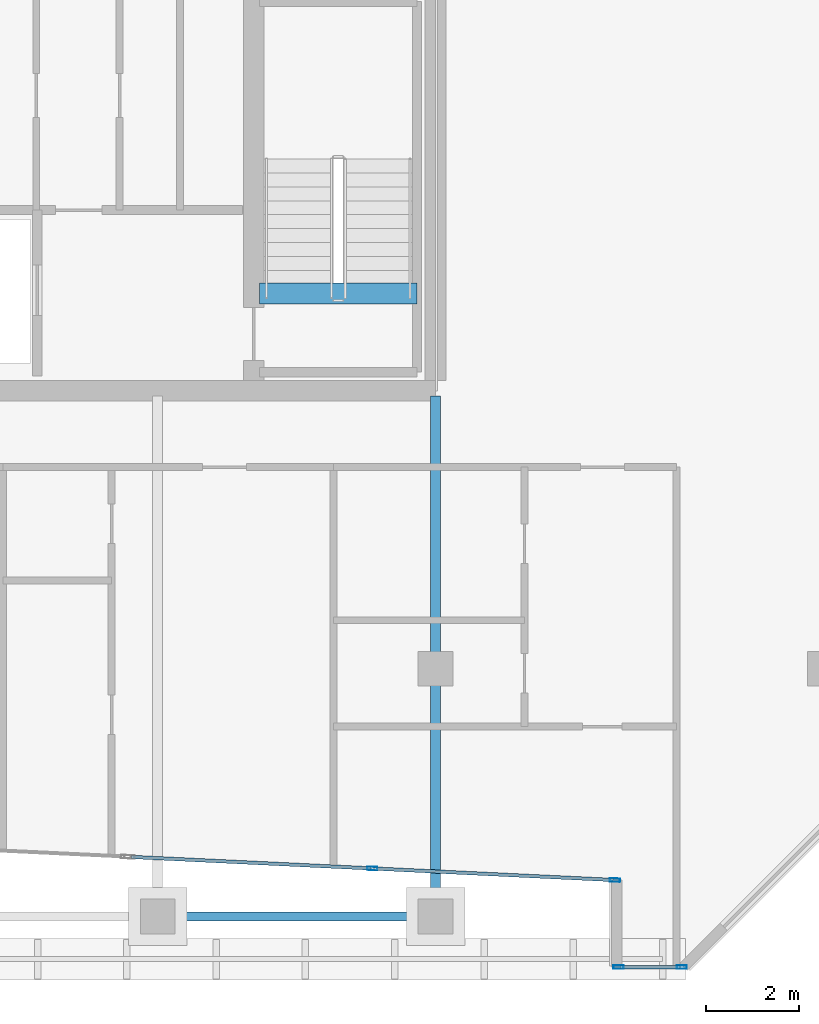
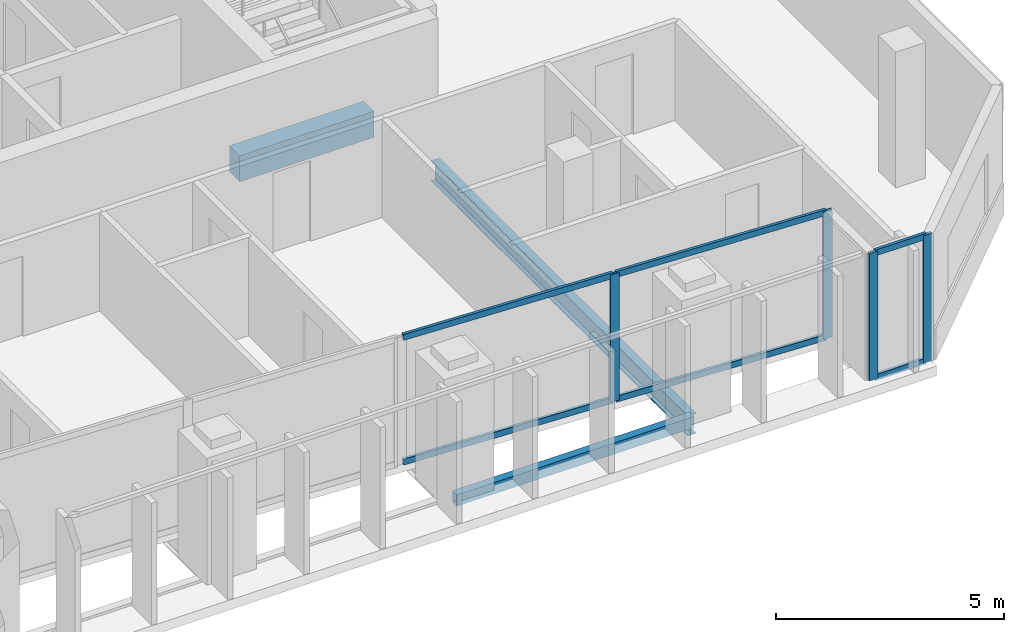
# One storey, part 17 of 32: 10 members, 3 beams, 2 elements without a shape of their own.
"""IFC4 building model written with IfcOpenShell, lengths in metres."""

from ifc_helpers import new_model, si_unit, direction, frame, origin, origin_2d, place, context, subcontext, project, spatial, rectangle, hollow_rectangle, i_section, extrude, material, layer, layer_set, material_profile, profile_set, type_object, element, aggregate, save


model = new_model("IFC4")

# Units and contexts
model_context = context("Model", 3, precision=1e-05, world=origin(), true_north=direction((0.0, 1.0)))
body_context = subcontext(model_context, "Body", "Model", "MODEL_VIEW")
ifc_project = project(units=[si_unit("LENGTHUNIT", "METRE"), si_unit("AREAUNIT", "SQUARE_METRE"), si_unit("VOLUMEUNIT", "CUBIC_METRE"), si_unit("PLANEANGLEUNIT", "RADIAN"), si_unit("MASSUNIT", "GRAM", prefix="KILO")], contexts=[model_context])

# Site, building, storey
site_placement = place(None, origin())
site = spatial("IfcSite", under=ifc_project, at=site_placement, CompositionType="ELEMENT")
building_placement = place(site_placement, origin())
building = spatial("IfcBuilding", under=site, at=building_placement, Name="Tanjung Sevakor Pilgrim Tower", CompositionType="ELEMENT")
storey_placement = place(building_placement, frame((0.0, 0.0, 211.860107421875)))
storey = spatial("IfcBuildingStorey", under=building, at=storey_placement, Name="L59", CompositionType="ELEMENT", Elevation=211.860107421875)

# Beams
ifc_material_1 = material(Name="Steel S355J2", Category="steel")
ifc_material_profile_1 = material_profile(ifc_material_1, i_section(OverallWidth=0.2119140625, OverallDepth=0.54443359375, WebThickness=0.0126953125, FlangeThickness=0.021240234375, FilletRadius=0.0126953125, at=origin_2d()))
ifc_profile_set_1 = profile_set([ifc_material_profile_1], Name="Steel S355J2")
beam_type_1 = type_object("IfcBeamType", Name="BM-B-G5-UB_533x210x122", PredefinedType="BEAM", material=ifc_profile_set_1)
beam_1_placement = place(storey_placement, frame((90.0, 13.25, -0.492431640625), z_axis=(0.0, 1.0, 0.0), x_axis=(-1.0, 0.0, 0.0)))
element("IfcBeam", 1, at=beam_1_placement, inside=storey, type_object=beam_type_1, Name="L59 MAIN Girder 025", PredefinedType="BEAM", context=body_context, shape_type="SweptSolid", body=[
    extrude(i_section(OverallWidth=0.2119140625, OverallDepth=0.54443359375, WebThickness=0.0126953125, FlangeThickness=0.021240234375, FilletRadius=0.0126953125, at=origin_2d()), origin(), (0.0, 0.0, 1.0), 11.235595703125),
])
ifc_material_2 = material(Name="Concrete C60/75", Category="concrete")
ifc_material_profile_2 = material_profile(ifc_material_2, rectangle(XDim=0.449951171875, YDim=0.699951171875, at=origin_2d()))
ifc_profile_set_2 = profile_set([ifc_material_profile_2], Name="Concrete C60/75")
beam_type_2 = type_object("IfcBeamType", Name="BM-B-LN3-RC-BM_450x700", PredefinedType="LINTEL", material=ifc_profile_set_2)
beam_2_placement = place(storey_placement, frame((86.199951171875, 26.699951171875, -0.35009765625), z_axis=(1.0, 0.0, 0.0), x_axis=(0.0, 1.0, 0.0)))
element("IfcBeam", 2, at=beam_2_placement, inside=storey, type_object=beam_type_2, Name="L59 TS-E1 Stair Threshold Beam", PredefinedType="LINTEL", context=body_context, shape_type="SweptSolid", body=[
    extrude(rectangle(XDim=0.449951171875, YDim=0.699951171875, at=origin_2d()), origin(), (0.0, 0.0, 1.0), 3.400146484375),
])
ifc_material_3 = material(Name="Steel S355J2", Category="steel")
ifc_material_profile_3 = material_profile(ifc_material_3, hollow_rectangle(XDim=0.199951171875, YDim=0.300048828125, WallThickness=0.012451171875, at=origin_2d()))
ifc_profile_set_3 = profile_set([ifc_material_profile_3], Name="Steel S355J2")
beam_type_3 = type_object("IfcBeamType", Name="BM-B-SP3-RHS_300x200x12.5", PredefinedType="SPANDREL", material=ifc_profile_set_3)
beam_3_placement = place(storey_placement, frame((84.0, 13.25, -0.3701171875), z_axis=(1.0, 0.0, 0.0), x_axis=(0.0, 1.0, 0.0)))
element("IfcBeam", 3, at=beam_3_placement, inside=storey, type_object=beam_type_3, Name="L59 Spandrel MAIN S-15", PredefinedType="SPANDREL", context=body_context, shape_type="SweptSolid", body=[
    extrude(hollow_rectangle(XDim=0.199951171875, YDim=0.300048828125, WallThickness=0.012451171875, at=origin_2d()), origin(), (0.0, 0.0, 1.0), 6.0),
])

# Curtain wall, members
ifc_material_4 = material(Name="Aluminium 6063-T6 and Low-E Glass", Category="aluminium")
ifc_layer = layer(ifc_material_4, 0.199951171875)
ifc_layer_set = layer_set([ifc_layer], Name="CW-SYS-PRAY")
curtain_wall_type = type_object("IfcCurtainWallType", Name="CW-SYS-PRAY", PredefinedType="NOTDEFINED", material=ifc_layer_set)
curtain_wall_1_placement = place(storey_placement, origin())
curtain_wall_1 = element("IfcCurtainWall", 4, at=curtain_wall_1_placement, inside=storey, type_object=curtain_wall_type, Name="L59 Curtain Wall CW-PRY-L59-12", PredefinedType="NOTDEFINED")
ifc_material_5 = material(Name="Aluminium 6063-T6", Category="aluminium")
ifc_material_profile_4 = material_profile(ifc_material_5, hollow_rectangle(XDim=0.074951171875, YDim=0.219970703125, WallThickness=0.0048828125, at=origin_2d()))
ifc_profile_set_4 = profile_set([ifc_material_profile_4], Name="Aluminium 6063-T6")
member_type_1 = type_object("IfcMemberType", Name="TYPE-CWM-2", PredefinedType="MULLION", material=ifc_profile_set_4)
member_1_placement = place(storey_placement, frame((88.632568359375, 14.287353515625, 0.0), z_axis=(0.0, 0.0, 1.0), x_axis=(0.047791311738, 0.998857342428, 0.0)))
member_1 = element("IfcMember", 5, at=member_1_placement, type_object=member_type_1, Name="CW-PRY mullion 2", PredefinedType="MULLION", context=body_context, shape_type="SweptSolid", body=[
    extrude(hollow_rectangle(XDim=0.074951171875, YDim=0.219970703125, WallThickness=0.0048828125, at=origin_2d()), origin(), (0.0, 0.0, 1.0), 3.409912109375),
])
member_2_placement = place(storey_placement, frame((93.87255859375, 14.03662109375, 0.0), z_axis=(0.0, 0.0, 1.0), x_axis=(0.047791311738, 0.998857342428, 0.0)))
member_2 = element("IfcMember", 6, at=member_2_placement, type_object=member_type_1, Name="CW-PRY mullion 3", PredefinedType="MULLION", context=body_context, shape_type="SweptSolid", body=[
    extrude(hollow_rectangle(XDim=0.074951171875, YDim=0.219970703125, WallThickness=0.0048828125, at=origin_2d()), origin(), (0.0, 0.0, 1.0), 3.409912109375),
])

curtain_wall_2_placement = place(storey_placement, origin())
curtain_wall_2 = element("IfcCurtainWall", 7, at=curtain_wall_2_placement, inside=storey, type_object=curtain_wall_type, Name="L59 Curtain Wall CW-PRY-L59-14", PredefinedType="NOTDEFINED")
member_3_placement = place(storey_placement, frame((93.947509765625, 12.159912109375, 0.0), z_axis=(0.0, 0.0, 1.0), x_axis=(0.0, 1.0, 0.0)))
member_3 = element("IfcMember", 8, at=member_3_placement, type_object=member_type_1, Name="CW-PRY mullion 1", PredefinedType="MULLION", context=body_context, shape_type="SweptSolid", body=[
    extrude(hollow_rectangle(XDim=0.074951171875, YDim=0.219970703125, WallThickness=0.0048828125, at=origin_2d()), origin(), (0.0, 0.0, 1.0), 3.409912109375),
])
member_4_placement = place(storey_placement, frame((95.31689453125, 12.159912109375, 0.0), z_axis=(0.0, 0.0, 1.0), x_axis=(0.0, 1.0, 0.0)))
member_4 = element("IfcMember", 9, at=member_4_placement, type_object=member_type_1, Name="CW-PRY mullion 2", PredefinedType="MULLION", context=body_context, shape_type="SweptSolid", body=[
    extrude(hollow_rectangle(XDim=0.074951171875, YDim=0.219970703125, WallThickness=0.0048828125, at=origin_2d()), origin(), (0.0, 0.0, 1.0), 3.409912109375),
])

# Member
ifc_material_6 = material(Name="Aluminium 6063-T6", Category="aluminium")
ifc_material_profile_5 = material_profile(ifc_material_6, hollow_rectangle(XDim=0.074951171875, YDim=0.159912109375, WallThickness=0.00439453125, at=origin_2d()))
ifc_profile_set_5 = profile_set([ifc_material_profile_5], Name="Aluminium 6063-T6")
member_type_2 = type_object("IfcMemberType", Name="TYPE-CWT-2", PredefinedType="USERDEFINED", material=ifc_profile_set_5)
member_5_placement = place(storey_placement, frame((83.43017578125, 14.536376953125, 0.037353515625), z_axis=(0.998857859902, -0.047780495095, 0.0), x_axis=(0.047780495095, 0.998857859902, 0.0)))
member_5 = element("IfcMember", 10, at=member_5_placement, type_object=member_type_2, Name="CW-PRY transom 1.1", ObjectType="TRANSOM", PredefinedType="USERDEFINED", context=body_context, shape_type="SweptSolid", body=[
    extrude(hollow_rectangle(XDim=0.074951171875, YDim=0.159912109375, WallThickness=0.00439453125, at=origin_2d()), origin(), (0.0, 0.0, 1.0), 5.1708984375),
])

member_6_placement = place(storey_placement, frame((83.43017578125, 14.536376953125, 3.372314453125), z_axis=(0.998857859902, -0.047780495095, 0.0), x_axis=(0.047780495095, 0.998857859902, 0.0)))
member_6 = element("IfcMember", 11, at=member_6_placement, type_object=member_type_2, Name="CW-PRY transom 1.2", ObjectType="TRANSOM", PredefinedType="USERDEFINED", context=body_context, shape_type="SweptSolid", body=[
    extrude(hollow_rectangle(XDim=0.074951171875, YDim=0.159912109375, WallThickness=0.00439453125, at=origin_2d()), origin(), (0.0, 0.0, 1.0), 5.1708984375),
])

member_7_placement = place(storey_placement, frame((88.670166015625, 14.28564453125, 0.037353515625), z_axis=(0.998857859902, -0.047780495095, 0.0), x_axis=(0.047780495095, 0.998857859902, 0.0)))
member_7 = element("IfcMember", 12, at=member_7_placement, type_object=member_type_2, Name="CW-PRY transom 2.1", ObjectType="TRANSOM", PredefinedType="USERDEFINED", context=body_context, shape_type="SweptSolid", body=[
    extrude(hollow_rectangle(XDim=0.074951171875, YDim=0.159912109375, WallThickness=0.00439453125, at=origin_2d()), origin(), (0.0, 0.0, 1.0), 5.1708984375),
])

member_8_placement = place(storey_placement, frame((88.670166015625, 14.28564453125, 3.372314453125), z_axis=(0.998857859902, -0.047780495095, 0.0), x_axis=(0.047780495095, 0.998857859902, 0.0)))
member_8 = element("IfcMember", 13, at=member_8_placement, type_object=member_type_2, Name="CW-PRY transom 2.2", ObjectType="TRANSOM", PredefinedType="USERDEFINED", context=body_context, shape_type="SweptSolid", body=[
    extrude(hollow_rectangle(XDim=0.074951171875, YDim=0.159912109375, WallThickness=0.00439453125, at=origin_2d()), origin(), (0.0, 0.0, 1.0), 5.1708984375),
])

aggregate(curtain_wall_1, [member_1, member_2, member_5, member_6, member_7, member_8])

member_9_placement = place(storey_placement, frame((93.985107421875, 12.159912109375, 0.037353515625), z_axis=(1.0, 0.0, 0.0), x_axis=(0.0, 1.0, 0.0)))
member_9 = element("IfcMember", 14, at=member_9_placement, type_object=member_type_2, Name="CW-PRY transom 1.1", ObjectType="TRANSOM", PredefinedType="USERDEFINED", context=body_context, shape_type="SweptSolid", body=[
    extrude(hollow_rectangle(XDim=0.074951171875, YDim=0.159912109375, WallThickness=0.00439453125, at=origin_2d()), origin(), (0.0, 0.0, 1.0), 1.294189453125),
])

member_10_placement = place(storey_placement, frame((93.985107421875, 12.159912109375, 3.372314453125), z_axis=(1.0, 0.0, 0.0), x_axis=(0.0, 1.0, 0.0)))
member_10 = element("IfcMember", 15, at=member_10_placement, type_object=member_type_2, Name="CW-PRY transom 1.2", ObjectType="TRANSOM", PredefinedType="USERDEFINED", context=body_context, shape_type="SweptSolid", body=[
    extrude(hollow_rectangle(XDim=0.074951171875, YDim=0.159912109375, WallThickness=0.00439453125, at=origin_2d()), origin(), (0.0, 0.0, 1.0), 1.294189453125),
])

aggregate(curtain_wall_2, [member_3, member_4, member_9, member_10])

save(model, "model.ifc")
